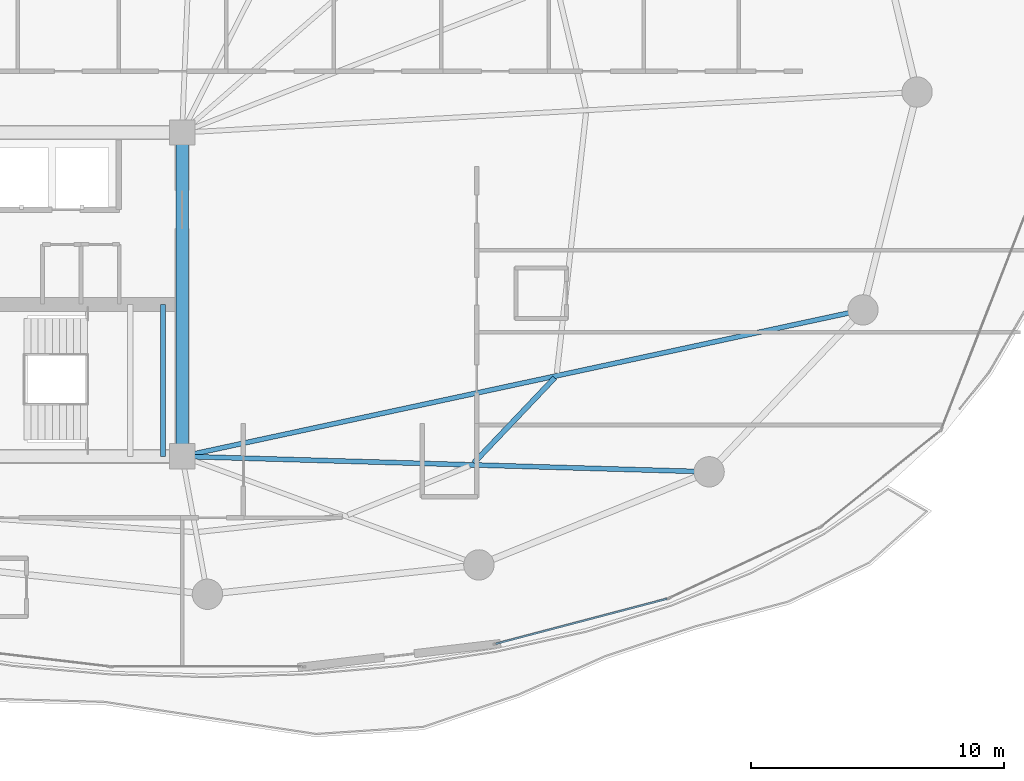
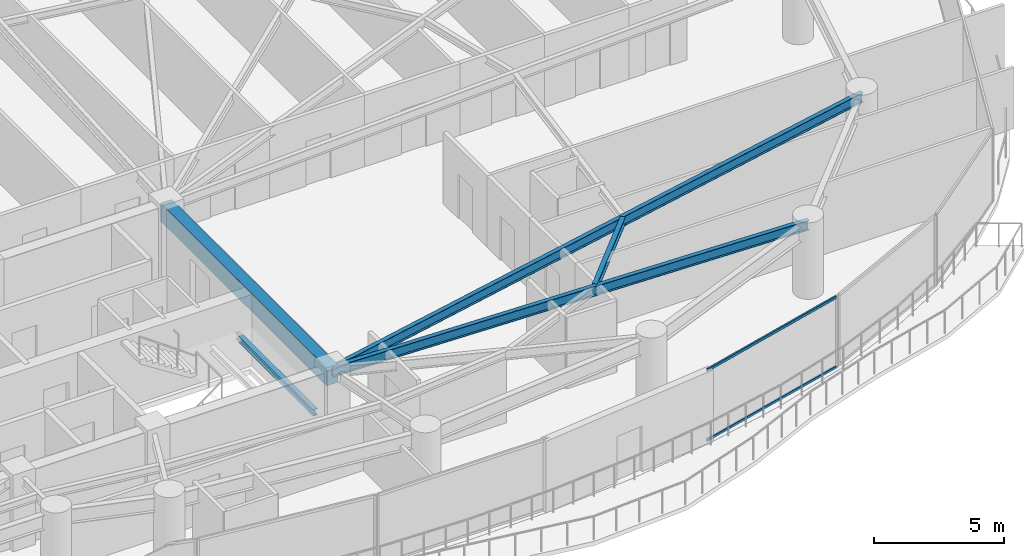
# One storey, part 13 of 34: 5 beams, 2 members, 1 element without a shape of its own.
"""IFC4 building model written with IfcOpenShell, lengths in metres."""

from ifc_helpers import new_model, si_unit, direction, frame, origin, origin_2d, place, context, subcontext, project, spatial, rectangle, hollow_rectangle, i_section, extrude, material, layer, layer_set, material_profile, profile_set, type_object, element, aggregate, save


model = new_model("IFC4")

# Units and contexts
model_context = context("Model", 3, precision=1e-05, world=origin(), true_north=direction((0.0, 1.0)))
body_context = subcontext(model_context, "Body", "Model", "MODEL_VIEW")
ifc_project = project(units=[si_unit("LENGTHUNIT", "METRE"), si_unit("AREAUNIT", "SQUARE_METRE"), si_unit("VOLUMEUNIT", "CUBIC_METRE"), si_unit("PLANEANGLEUNIT", "RADIAN"), si_unit("MASSUNIT", "GRAM", prefix="KILO")], contexts=[model_context])

# Site, building, storey
site_placement = place(None, origin())
site = spatial("IfcSite", under=ifc_project, at=site_placement, CompositionType="ELEMENT")
building_placement = place(site_placement, origin())
building = spatial("IfcBuilding", under=site, at=building_placement, Name="Kazevale Care Tower and Concert Hall", CompositionType="ELEMENT")
storey_placement = place(building_placement, frame((0.0, 0.0, 163.800048828125)))
storey = spatial("IfcBuildingStorey", under=building, at=storey_placement, Name="L43", CompositionType="ELEMENT", Elevation=163.800048828125)

# Curtain wall, members
ifc_material_1 = material(Name="Aluminium 6063-T6 and Low-E Glass", Category="aluminium")
ifc_layer = layer(ifc_material_1, 0.179931640625)
ifc_layer_set = layer_set([ifc_layer], Name="Aluminium 6063-T6 and Low-E Glass")
curtain_wall_type = type_object("IfcCurtainWallType", Name="Sheltered Concave Balcony Curtain Wall CW-5", PredefinedType="NOTDEFINED", material=ifc_layer_set)
curtain_wall_placement = place(storey_placement, origin())
curtain_wall = element("IfcCurtainWall", 1, at=curtain_wall_placement, inside=storey, type_object=curtain_wall_type, Name="cw:L43:f04", PredefinedType="NOTDEFINED")
ifc_material_2 = material(Name="Aluminium 6063-T6", Category="aluminium")
ifc_material_profile_1 = material_profile(ifc_material_2, hollow_rectangle(XDim=0.074951171875, YDim=0.1201171875, WallThickness=0.00390625, at=origin_2d()), Name="ALU75x120x4")
ifc_profile_set_1 = profile_set([ifc_material_profile_1], Name="Aluminium 6063-T6")
member_type = type_object("IfcMemberType", Name="CW-5 Transom ALU75x120x4", PredefinedType="USERDEFINED", material=ifc_profile_set_1)
member_1_placement = place(storey_placement, frame((63.16845703125, 17.971923828125, 0.037353515625), z_axis=(-0.967142752699, -0.254233939321, 0.0), x_axis=(0.254233939321, -0.967142752699, 0.0)))
member_1 = element("IfcMember", 2, at=member_1_placement, type_object=member_type, Name="CW-5 transom 1.1", ObjectType="TRANSOM", PredefinedType="USERDEFINED", context=body_context, shape_type="SweptSolid", body=[
    extrude(hollow_rectangle(XDim=0.074951171875, YDim=0.1201171875, WallThickness=0.00390625, at=origin_2d()), origin(), (0.0, 0.0, 1.0), 6.996826171875),
])
member_2_placement = place(storey_placement, frame((63.16845703125, 17.971923828125, 3.322509765625), z_axis=(-0.967142752699, -0.254233939321, 0.0), x_axis=(0.254233939321, -0.967142752699, 0.0)))
member_2 = element("IfcMember", 3, at=member_2_placement, type_object=member_type, Name="CW-5 transom 1.2", ObjectType="TRANSOM", PredefinedType="USERDEFINED", context=body_context, shape_type="SweptSolid", body=[
    extrude(hollow_rectangle(XDim=0.074951171875, YDim=0.1201171875, WallThickness=0.00390625, at=origin_2d()), origin(), (0.0, 0.0, 1.0), 6.996826171875),
])
aggregate(curtain_wall, [member_1, member_2])

# Beams
ifc_material_3 = material(Name="Concrete C60", Category="concrete")
ifc_material_profile_2 = material_profile(ifc_material_3, rectangle(XDim=0.5, YDim=0.85009765625, at=origin_2d()), Name="RC-B500x850")
ifc_profile_set_2 = profile_set([ifc_material_profile_2], Name="Concrete C60")
beam_type_1 = type_object("IfcBeamType", Name="Core Coupling Beam RC500x850", PredefinedType="LINTEL", material=ifc_profile_set_2)
beam_1_placement = place(storey_placement, frame((44.0, 23.60009765625, 2.93505859375), z_axis=(0.0, 1.0, 0.0), x_axis=(-1.0, 0.0, 0.0)))
element("IfcBeam", 4, at=beam_1_placement, inside=storey, type_object=beam_type_1, Name="beam:L43:coretie:4", PredefinedType="LINTEL", context=body_context, shape_type="SweptSolid", body=[
    extrude(rectangle(XDim=0.5, YDim=0.85009765625, at=origin_2d()), origin(), (0.0, 0.0, 1.0), 12.7998046875),
])
ifc_material_4 = material(Name="Steel ASTM A572 Gr 50", Category="steel")
ifc_material_profile_3 = material_profile(ifc_material_4, i_section(OverallWidth=0.19091796875, OverallDepth=0.4599609375, WebThickness=0.010009765625, FlangeThickness=0.01611328125, at=origin_2d()), Name="W460x82")
ifc_profile_set_3 = profile_set([ifc_material_profile_3], Name="Steel ASTM A572 Gr 50")
beam_type_2 = type_object("IfcBeamType", Name="Radial Floor Beam W460x82", PredefinedType="BEAM", material=ifc_profile_set_3)
beam_2_placement = place(storey_placement, frame((44.0, 23.60009765625, 3.1298828125), z_axis=(0.99957133157, -0.029277177187, 0.0), x_axis=(0.029277177187, 0.99957133157, 0.0)))
element("IfcBeam", 5, at=beam_2_placement, inside=storey, type_object=beam_type_2, Name="beam:L43:rad:15", PredefinedType="BEAM", context=body_context, shape_type="SweptSolid", body=[
    extrude(i_section(OverallWidth=0.19091796875, OverallDepth=0.4599609375, WebThickness=0.010009765625, FlangeThickness=0.01611328125, at=origin_2d()), origin(), (0.0, 0.0, 1.0), 20.839111328125),
])
beam_3_placement = place(storey_placement, frame((44.0, 23.60009765625, 3.1298828125), z_axis=(0.97762801725, 0.210341293823, 0.0), x_axis=(-0.210341293823, 0.97762801725, 0.0)))
element("IfcBeam", 6, at=beam_3_placement, inside=storey, type_object=beam_type_2, Name="beam:L43:rad:16", PredefinedType="BEAM", context=body_context, shape_type="SweptSolid", body=[
    extrude(i_section(OverallWidth=0.19091796875, OverallDepth=0.4599609375, WebThickness=0.010009765625, FlangeThickness=0.01611328125, at=origin_2d()), origin(), (0.0, 0.0, 1.0), 27.525634765625),
])
ifc_material_profile_4 = material_profile(ifc_material_4, i_section(OverallWidth=0.205078125, OverallDepth=0.35400390625, WebThickness=0.009521484375, FlangeThickness=0.016845703125, at=origin_2d()), Name="W360x79")
ifc_profile_set_4 = profile_set([ifc_material_profile_4], Name="Steel ASTM A572 Gr 50")
beam_type_3 = type_object("IfcBeamType", Name="Secondary Floor Joist W360x79", PredefinedType="JOIST", material=ifc_profile_set_4)
beam_4_placement = place(storey_placement, frame((55.529052734375, 23.341064453125, 3.182861328125), z_axis=(0.688792288395, 0.724958746032, 0.0), x_axis=(-0.724958746032, 0.688792288395, 0.0)))
element("IfcBeam", 7, at=beam_4_placement, inside=storey, type_object=beam_type_3, Name="beam:L43:joist:15", PredefinedType="JOIST", context=body_context, shape_type="SweptSolid", body=[
    extrude(i_section(OverallWidth=0.205078125, OverallDepth=0.35400390625, WebThickness=0.009521484375, FlangeThickness=0.016845703125, at=origin_2d()), origin(), (0.0, 0.0, 1.0), 4.644287109375),
])
ifc_material_profile_5 = material_profile(ifc_material_4, i_section(OverallWidth=0.202880859375, OverallDepth=0.302978515625, WebThickness=0.007568359375, FlangeThickness=0.01318359375, at=origin_2d()), Name="W310x60")
ifc_profile_set_5 = profile_set([ifc_material_profile_5], Name="Steel ASTM A572 Gr 50")
beam_type_4 = type_object("IfcBeamType", Name="Stair & Balcony Trimmer W310x60", PredefinedType="BEAM", material=ifc_profile_set_5)
beam_5_placement = place(storey_placement, frame((43.25, 23.60009765625, 1.448486328125), z_axis=(0.0, 1.0, 0.0), x_axis=(-1.0, 0.0, 0.0)))
element("IfcBeam", 8, at=beam_5_placement, inside=storey, type_object=beam_type_4, Name="beam:L43:sttrim:ST2b", PredefinedType="BEAM", context=body_context, shape_type="SweptSolid", body=[
    extrude(i_section(OverallWidth=0.202880859375, OverallDepth=0.302978515625, WebThickness=0.007568359375, FlangeThickness=0.01318359375, at=origin_2d()), origin(), (0.0, 0.0, 1.0), 6.0),
])

save(model, "model.ifc")
